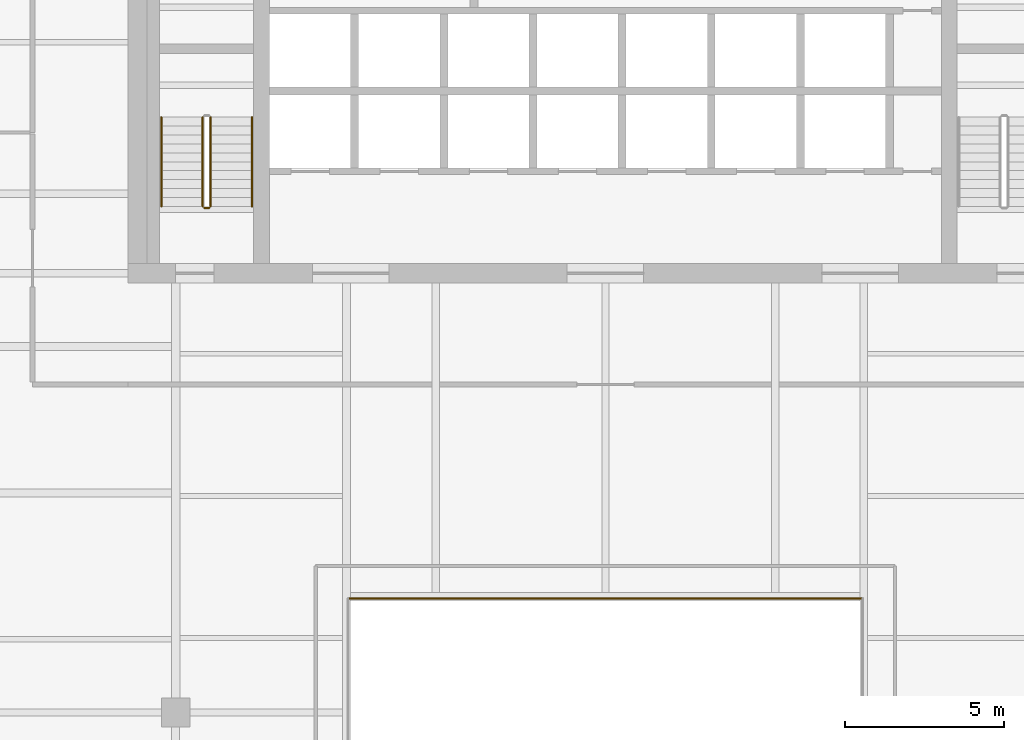
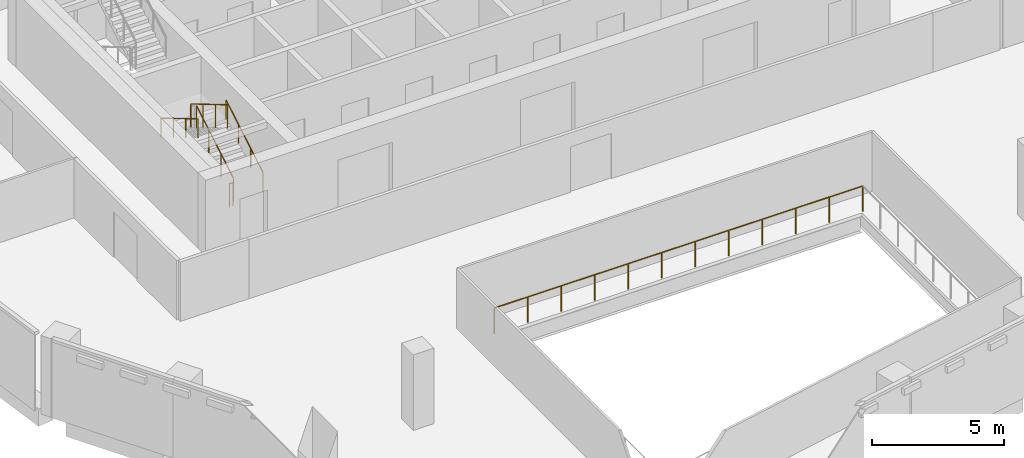
# One storey, part 13 of 16: 6 railings.
"""IFC4 building model written with IfcOpenShell, lengths in metres."""

from ifc_helpers import new_model, si_unit, direction, frame, origin, origin_2d, place, context, subcontext, project, spatial, circle, extrude, material, type_object, element, save


model = new_model("IFC4")

# Units and contexts
model_context = context("Model", 3, precision=1e-05, world=origin(), true_north=direction((0.0, 1.0)))
body_context = subcontext(model_context, "Body", "Model", "MODEL_VIEW")
ifc_project = project(units=[si_unit("LENGTHUNIT", "METRE"), si_unit("AREAUNIT", "SQUARE_METRE"), si_unit("VOLUMEUNIT", "CUBIC_METRE"), si_unit("PLANEANGLEUNIT", "RADIAN"), si_unit("MASSUNIT", "GRAM", prefix="KILO")], contexts=[model_context])

# Site, building, storey
site_placement = place(None, origin())
site = spatial("IfcSite", under=ifc_project, at=site_placement, CompositionType="ELEMENT")
building_placement = place(site_placement, origin())
building = spatial("IfcBuilding", under=site, at=building_placement, Name="Isthmus Gate Tower", CompositionType="ELEMENT")
storey_placement = place(building_placement, frame((0.0, 0.0, 216.300048828125)))
storey = spatial("IfcBuildingStorey", under=building, at=storey_placement, Name="L54", CompositionType="ELEMENT", Elevation=216.300048828125)

# Railings
ifc_material_1 = material(Name="Laminated toughened glass balustrade with steel rail", Category="steel")
railing_type_1 = type_object("IfcRailingType", Name="ATRIUM GUARD GLASS BALUSTRADE 1200", PredefinedType="GUARDRAIL", material=ifc_material_1)
railing_1_placement = place(storey_placement, frame((-8.080078125, -9.919921875, 0.0)))
element("IfcRailing", 1, at=railing_1_placement, inside=storey, type_object=railing_type_1, Name="L54 atrium guard", PredefinedType="GUARDRAIL", context=body_context, shape_type="SweptSolid", body=[
    extrude(circle(Radius=0.02490234375, at=origin_2d()), frame((0.0, 0.0, 1.1748046875), z_axis=(1.0, 0.0, 0.0), x_axis=(0.0, 1.0, 0.0)), (0.0, 0.0, 1.0), 16.16015625),
    extrude(circle(Radius=0.02490234375, at=origin_2d()), origin(), (0.0, 0.0, 1.0), 1.14990234375),
    extrude(circle(Radius=0.02490234375, at=origin_2d()), frame((1.468994140625, 0.0, 0.0)), (0.0, 0.0, 1.0), 1.14990234375),
    extrude(circle(Radius=0.02490234375, at=origin_2d()), frame((2.938232421875, 0.0, 0.0)), (0.0, 0.0, 1.0), 1.14990234375),
    extrude(circle(Radius=0.02490234375, at=origin_2d()), frame((4.4072265625, 0.0, 0.0)), (0.0, 0.0, 1.0), 1.14990234375),
    extrude(circle(Radius=0.02490234375, at=origin_2d()), frame((5.87646484375, 0.0, 0.0)), (0.0, 0.0, 1.0), 1.14990234375),
    extrude(circle(Radius=0.02490234375, at=origin_2d()), frame((7.345458984375, 0.0, 0.0)), (0.0, 0.0, 1.0), 1.14990234375),
    extrude(circle(Radius=0.02490234375, at=origin_2d()), frame((8.814697265625, 0.0, 0.0)), (0.0, 0.0, 1.0), 1.14990234375),
    extrude(circle(Radius=0.02490234375, at=origin_2d()), frame((10.28369140625, 0.0, 0.0)), (0.0, 0.0, 1.0), 1.14990234375),
    extrude(circle(Radius=0.02490234375, at=origin_2d()), frame((11.7529296875, 0.0, 0.0)), (0.0, 0.0, 1.0), 1.14990234375),
    extrude(circle(Radius=0.02490234375, at=origin_2d()), frame((13.221923828125, 0.0, 0.0)), (0.0, 0.0, 1.0), 1.14990234375),
    extrude(circle(Radius=0.02490234375, at=origin_2d()), frame((14.691162109375, 0.0, 0.0)), (0.0, 0.0, 1.0), 1.14990234375),
    extrude(circle(Radius=0.02490234375, at=origin_2d()), frame((16.16015625, 0.0, 0.0)), (0.0, 0.0, 1.0), 1.14990234375),
])
ifc_material_2 = material(Name="Stainless steel balustrade", Category="steel")
railing_type_2 = type_object("IfcRailingType", Name="STAIR GUARD 1100", PredefinedType="GUARDRAIL", material=ifc_material_2)
railing_2_placement = place(storey_placement, frame((-12.39990234375, 2.39990234375, 0.165771484375)))
element("IfcRailing", 2, at=railing_2_placement, inside=storey, type_object=railing_type_2, Name="L54 ST7 stair guard 1", PredefinedType="GUARDRAIL", context=body_context, shape_type="SweptSolid", body=[
    extrude(circle(Radius=0.02392578125, at=origin_2d()), frame((0.0, 0.0, 1.076171875), z_axis=(0.0, 0.860306154799, 0.50977771628), x_axis=(-1.0, 0.0, 0.0)), (0.0, 0.0, 1.0), 3.254638671875),
    extrude(circle(Radius=0.02099609375, at=origin_2d()), origin(), (0.0, 0.0, 1.0), 1.052001953125),
    extrude(circle(Radius=0.02099609375, at=origin_2d()), frame((0.0, 0.933349609375, 0.552978515625)), (0.0, 0.0, 1.0), 1.052001953125),
    extrude(circle(Radius=0.02099609375, at=origin_2d()), frame((0.0, 1.86669921875, 1.106201171875)), (0.0, 0.0, 1.0), 1.052001953125),
    extrude(circle(Radius=0.02099609375, at=origin_2d()), frame((0.0, 2.800048828125, 1.6591796875)), (0.0, 0.0, 1.0), 1.052001953125),
])
railing_3_placement = place(storey_placement, frame((-12.64990234375, 5.199951171875, 1.990966796875)))
element("IfcRailing", 3, at=railing_3_placement, inside=storey, type_object=railing_type_2, Name="L54 ST7 stair guard 3", PredefinedType="GUARDRAIL", context=body_context, shape_type="SweptSolid", body=[
    extrude(circle(Radius=0.02392578125, at=origin_2d()), frame((0.0, 0.0, 1.076171875), z_axis=(0.0, -0.860339051648, 0.50972219513), x_axis=(1.0, 0.0, 0.0)), (0.0, 0.0, 1.0), 3.254638671875),
    extrude(circle(Radius=0.02099609375, at=origin_2d()), origin(), (0.0, 0.0, 1.0), 1.052001953125),
    extrude(circle(Radius=0.02099609375, at=origin_2d()), frame((0.0, -0.933349609375, 0.552978515625)), (0.0, 0.0, 1.0), 1.052001953125),
    extrude(circle(Radius=0.02099609375, at=origin_2d()), frame((0.0, -1.86669921875, 1.10595703125)), (0.0, 0.0, 1.0), 1.052001953125),
    extrude(circle(Radius=0.02099609375, at=origin_2d()), frame((0.0, -2.800048828125, 1.658935546875)), (0.0, 0.0, 1.0), 1.052001953125),
])
railing_4_placement = place(storey_placement, frame((-12.449951171875, 2.35009765625, 0.0)))
element("IfcRailing", 4, at=railing_4_placement, inside=storey, type_object=railing_type_2, Name="L54 ST7 stair guard 4", PredefinedType="GUARDRAIL", context=body_context, shape_type="SweptSolid", body=[
    extrude(circle(Radius=0.02392578125, at=origin_2d()), frame((0.0, 0.0, 1.076171875), z_axis=(-1.0, 0.0, 0.0), x_axis=(0.0, -1.0, 0.0)), (0.0, 0.0, 1.0), 0.150146484375),
    extrude(circle(Radius=0.02099609375, at=origin_2d()), origin(), (0.0, 0.0, 1.0), 1.052001953125),
    extrude(circle(Radius=0.02099609375, at=origin_2d()), frame((-0.150146484375, 0.0, 0.0)), (0.0, 0.0, 1.0), 1.052001953125),
])
ifc_material_3 = material(Name="Stainless steel handrail", Category="steel")
railing_type_3 = type_object("IfcRailingType", Name="STAIR HANDRAIL 900", PredefinedType="HANDRAIL", material=ifc_material_3)
railing_5_placement = place(storey_placement, frame((-11.10009765625, 2.39990234375, 0.165771484375)))
element("IfcRailing", 5, at=railing_5_placement, inside=storey, type_object=railing_type_3, Name="L54 ST7 stair handrail 1", PredefinedType="HANDRAIL", context=body_context, shape_type="SweptSolid", body=[
    extrude(circle(Radius=0.02392578125, at=origin_2d()), frame((0.0, 0.0, 0.8759765625), z_axis=(0.0, 0.860306154799, 0.50977771628), x_axis=(-1.0, 0.0, 0.0)), (0.0, 0.0, 1.0), 3.254638671875),
    extrude(circle(Radius=0.02099609375, at=origin_2d()), origin(), (0.0, 0.0, 1.0), 0.851806640625),
    extrude(circle(Radius=0.02099609375, at=origin_2d()), frame((0.0, 0.933349609375, 0.552978515625)), (0.0, 0.0, 1.0), 0.851806640625),
    extrude(circle(Radius=0.02099609375, at=origin_2d()), frame((0.0, 1.86669921875, 1.106201171875)), (0.0, 0.0, 1.0), 0.851806640625),
    extrude(circle(Radius=0.02099609375, at=origin_2d()), frame((0.0, 2.800048828125, 1.6591796875)), (0.0, 0.0, 1.0), 0.851806640625),
])
railing_6_placement = place(storey_placement, frame((-13.949951171875, 5.199951171875, 1.990966796875)))
element("IfcRailing", 6, at=railing_6_placement, inside=storey, type_object=railing_type_3, Name="L54 ST7 stair handrail 2", PredefinedType="HANDRAIL", context=body_context, shape_type="SweptSolid", body=[
    extrude(circle(Radius=0.02392578125, at=origin_2d()), frame((0.0, 0.0, 0.8759765625), z_axis=(0.0, -0.860339051648, 0.50972219513), x_axis=(1.0, 0.0, 0.0)), (0.0, 0.0, 1.0), 3.254638671875),
    extrude(circle(Radius=0.02099609375, at=origin_2d()), origin(), (0.0, 0.0, 1.0), 0.851806640625),
    extrude(circle(Radius=0.02099609375, at=origin_2d()), frame((0.0, -0.933349609375, 0.552978515625)), (0.0, 0.0, 1.0), 0.851806640625),
    extrude(circle(Radius=0.02099609375, at=origin_2d()), frame((0.0, -1.86669921875, 1.10595703125)), (0.0, 0.0, 1.0), 0.851806640625),
    extrude(circle(Radius=0.02099609375, at=origin_2d()), frame((0.0, -2.800048828125, 1.658935546875)), (0.0, 0.0, 1.0), 0.851806640625),
])

save(model, "model.ifc")
